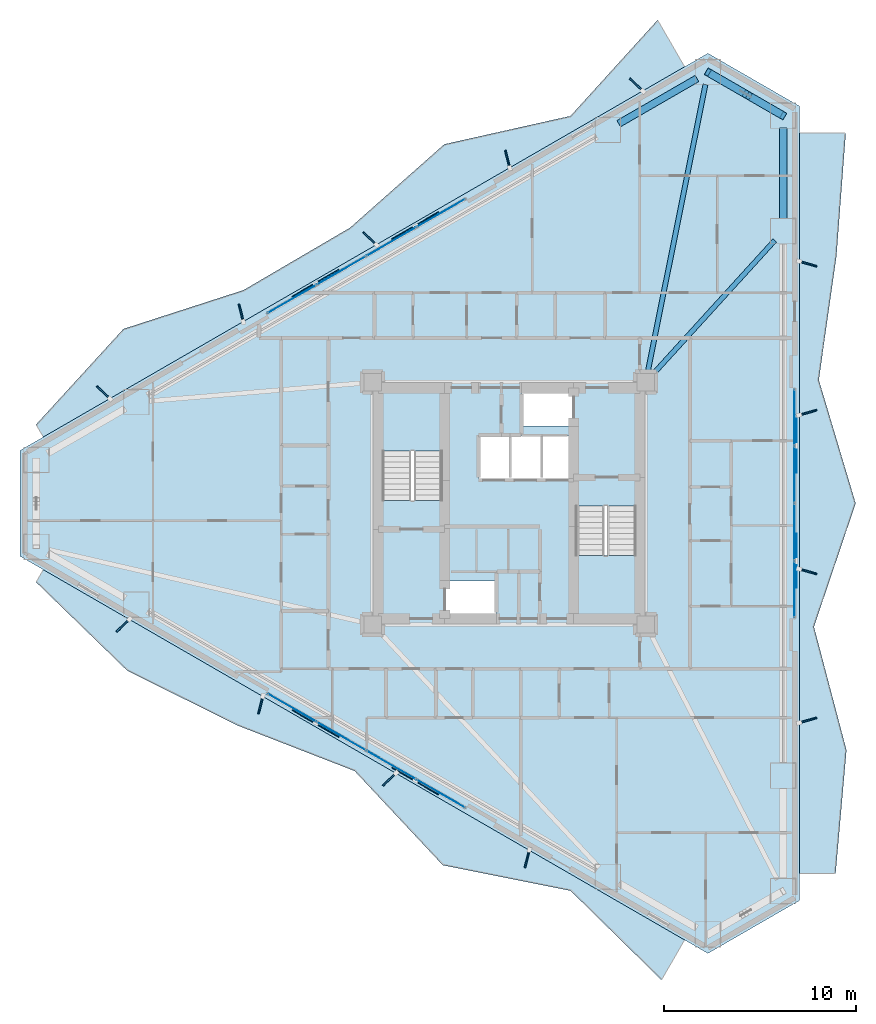
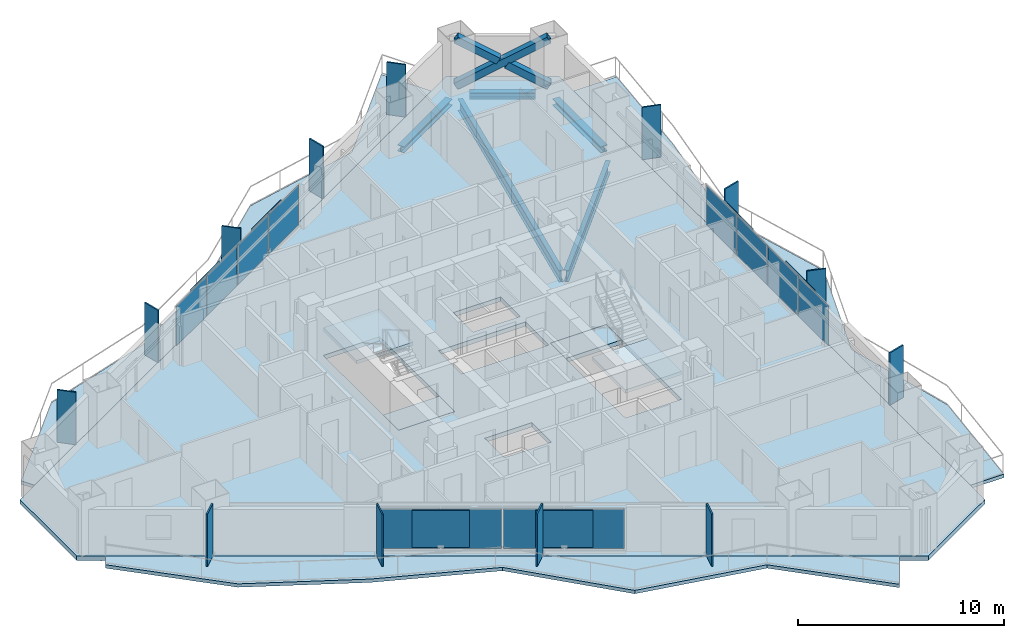
# One storey, part 10 of 19: 31 plates, 8 slabs, 5 beams, 3 members, 5 elements without a shape of their own.
"""IFC4 building model written with IfcOpenShell, lengths in metres."""

from ifc_helpers import new_model, si_unit, direction, frame, origin, origin_2d, place, context, subcontext, project, spatial, polyline, rectangle, hollow_rectangle, i_section, outline, extrude, material, layer, layer_set, material_profile, profile_set, type_object, element, aggregate, save


model = new_model("IFC4")

# Units and contexts
model_context = context("Model", 3, precision=1e-05, world=origin(), true_north=direction((0.0, 1.0)))
body_context = subcontext(model_context, "Body", "Model", "MODEL_VIEW")
ifc_project = project(units=[si_unit("LENGTHUNIT", "METRE"), si_unit("AREAUNIT", "SQUARE_METRE"), si_unit("VOLUMEUNIT", "CUBIC_METRE"), si_unit("PLANEANGLEUNIT", "RADIAN"), si_unit("MASSUNIT", "GRAM", prefix="KILO")], contexts=[model_context])

# Site, building, storey
site_placement = place(None, origin())
site = spatial("IfcSite", under=ifc_project, at=site_placement, CompositionType="ELEMENT")
building_placement = place(site_placement, origin())
building = spatial("IfcBuilding", under=site, at=building_placement, Name="Mersakhor Tower and Convention Hall", CompositionType="ELEMENT")
storey_placement = place(building_placement, frame((0.0, 0.0, 25.800048828125)))
storey = spatial("IfcBuildingStorey", under=building, at=storey_placement, Name="L06", CompositionType="ELEMENT", Elevation=25.800048828125)

# Beams
ifc_material_1 = material(Name="Steel S355", Category="steel")
ifc_material_profile_1 = material_profile(ifc_material_1, i_section(OverallWidth=0.25439453125, OverallDepth=0.6875, WebThickness=0.01318359375, FlangeThickness=0.02099609375, at=origin_2d()), Name="UB 686x254x152")
ifc_profile_set_1 = profile_set([ifc_material_profile_1], Name="Steel S355")
beam_type_1 = type_object("IfcBeamType", Name="BM-PR-686", PredefinedType="BEAM", material=ifc_profile_set_1)
beam_1_placement = place(storey_placement, frame((36.1845703125, 33.4716796875, -0.603759765625), z_axis=(0.196849718138, 0.980433673672, 0.0), x_axis=(-0.980433673672, 0.196849718138, 0.0)))
element("IfcBeam", 1, at=beam_1_placement, inside=storey, type_object=beam_type_1, Name="L06 Primary Floor Girder FG-2", PredefinedType="BEAM", context=body_context, shape_type="SweptSolid", body=[
    extrude(i_section(OverallWidth=0.25439453125, OverallDepth=0.6875, WebThickness=0.01318359375, FlangeThickness=0.02099609375, at=origin_2d()), origin(), (0.0, 0.0, 1.0), 15.359130859375),
])
beam_2_placement = place(storey_placement, frame((36.389404296875, 33.367919921875, -0.603759765625), z_axis=(0.67316322447, 0.739493930483, 0.0), x_axis=(-0.739493930483, 0.67316322447, 0.0)))
element("IfcBeam", 2, at=beam_2_placement, inside=storey, type_object=beam_type_1, Name="L06 Primary Floor Girder FG-3", PredefinedType="BEAM", context=body_context, shape_type="SweptSolid", body=[
    extrude(i_section(OverallWidth=0.25439453125, OverallDepth=0.6875, WebThickness=0.01318359375, FlangeThickness=0.02099609375, at=origin_2d()), origin(), (0.0, 0.0, 1.0), 9.53662109375),
])
ifc_material_2 = material(Name="Steel S355", Category="steel")
ifc_material_profile_2 = material_profile(ifc_material_2, i_section(OverallWidth=0.374755859375, OverallDepth=0.37451171875, WebThickness=0.0166015625, FlangeThickness=0.027099609375, at=origin_2d()), Name="UC 356x368x202")
ifc_profile_set_2 = profile_set([ifc_material_profile_2], Name="Steel S355")
beam_type_2 = type_object("IfcBeamType", Name="BM-SPD-UC356", PredefinedType="SPANDREL", material=ifc_profile_set_2)
beam_3_placement = place(storey_placement, frame((34.700439453125, 46.49560546875, -0.447265625), z_axis=(0.866031574723, 0.499989311469, 0.0), x_axis=(-0.499989311469, 0.866031574723, 0.0)))
element("IfcBeam", 3, at=beam_3_placement, inside=storey, type_object=beam_type_2, Name="L06 Perimeter Spandrel Beam SPB-03", PredefinedType="SPANDREL", context=body_context, shape_type="SweptSolid", body=[
    extrude(i_section(OverallWidth=0.374755859375, OverallDepth=0.37451171875, WebThickness=0.0166015625, FlangeThickness=0.027099609375, at=origin_2d()), origin(), (0.0, 0.0, 1.0), 4.69873046875),
])
beam_4_placement = place(storey_placement, frame((39.904052734375, 48.844970703125, -0.447265625), z_axis=(0.866038607556, -0.4999771297, 0.0), x_axis=(0.4999771297, 0.866038607556, 0.0)))
element("IfcBeam", 4, at=beam_4_placement, inside=storey, type_object=beam_type_2, Name="L06 Perimeter Spandrel Beam SPB-04", PredefinedType="SPANDREL", context=body_context, shape_type="SweptSolid", body=[
    extrude(i_section(OverallWidth=0.374755859375, OverallDepth=0.37451171875, WebThickness=0.0166015625, FlangeThickness=0.027099609375, at=origin_2d()), origin(), (0.0, 0.0, 1.0), 3.208740234375),
])
beam_5_placement = place(storey_placement, frame((43.25, 46.25830078125, -0.447265625), z_axis=(0.0, -1.0, 0.0), x_axis=(1.0, 0.0, 0.0)))
element("IfcBeam", 5, at=beam_5_placement, inside=storey, type_object=beam_type_2, Name="L06 Perimeter Spandrel Beam SPB-05", PredefinedType="SPANDREL", context=body_context, shape_type="SweptSolid", body=[
    extrude(i_section(OverallWidth=0.374755859375, OverallDepth=0.37451171875, WebThickness=0.0166015625, FlangeThickness=0.027099609375, at=origin_2d()), origin(), (0.0, 0.0, 1.0), 4.69873046875),
])

# Members
ifc_material_3 = material(Name="Steel S460", Category="steel")
ifc_material_profile_3 = material_profile(ifc_material_3, hollow_rectangle(XDim=0.39990234375, YDim=0.39990234375, WallThickness=0.02490234375, at=origin_2d()), Name="SHS 400x400x25")
ifc_profile_set_3 = profile_set([ifc_material_profile_3], Name="Steel S460")
member_type = type_object("IfcMemberType", Name="MB-BRC-SHS400", PredefinedType="BRACE", material=ifc_profile_set_3)
member_placement = place(storey_placement, frame((39.3369140625, 49.172607421875, 0.14990234375), z_axis=(0.740507772322, -0.427542982597, 0.518512523632), x_axis=(0.500009315796, 0.86602002524, 0.0)))
element("IfcMember", 6, at=member_placement, inside=storey, type_object=member_type, Name="L06 Chamfer Braced Frame Diagonal CB-1A", PredefinedType="BRACE", context=body_context, shape_type="SweptSolid", body=[
    extrude(hollow_rectangle(XDim=0.39990234375, YDim=0.39990234375, WallThickness=0.02490234375, at=origin_2d()), origin(), (0.0, 0.0, 1.0), 5.284423828125),
])
for number, where, z_axis, x_axis, name in (
    (7, (43.25, 46.913330078125, 0.14990234375), (-0.740505282886, 0.427518653602, 0.518536138413), (-0.499989236795, -0.866031617834, 0.0), "L06 Chamfer Braced Frame Diagonal CB-1B Lower Half"),
    (8, (41.12060546875, 48.142578125, 1.64111328125), (-0.740512106644, 0.427623949895, 0.518439560017), (-0.500078132948, -0.865980289006, 0.0), "L06 Chamfer Braced Frame Diagonal CB-1B Upper Half"),
):
    element("IfcMember", number, at=place(storey_placement, frame(where, z_axis=z_axis, x_axis=x_axis)), inside=storey, type_object=member_type, Name=name, PredefinedType="BRACE", context=body_context, shape_type="SweptSolid", body=[
        extrude(hollow_rectangle(XDim=0.39990234375, YDim=0.39990234375, WallThickness=0.02490234375, at=origin_2d()), origin(), (0.0, 0.0, 1.0), 2.40869140625),
    ])

# Curtain wall, plates
ifc_material_4 = material(Name="Dark solar low-E aluminium curtain wall", Category="aluminium")
ifc_layer_1 = layer(ifc_material_4, 0.159912109375)
ifc_layer_set_1 = layer_set([ifc_layer_1], Name="Dark solar low-E aluminium curtain wall")
curtain_wall_type = type_object("IfcCurtainWallType", Name="CW-SYS-01", PredefinedType="USERDEFINED", material=ifc_layer_set_1)
curtain_wall_1_placement = place(storey_placement, origin())
curtain_wall_1 = element("IfcCurtainWall", 9, at=curtain_wall_1_placement, inside=storey, type_object=curtain_wall_type, Name="L06 Dark-Glass Curtain Wall F1-B2", ObjectType="CURTAIN WALL", PredefinedType="USERDEFINED")
ifc_material_5 = material(Name="Dark solar double glazing", Category="glass")
ifc_layer_2 = layer(ifc_material_5, 0.02392578125)
ifc_layer_set_2 = layer_set([ifc_layer_2], Name="Dark solar double glazing")
plate_type_1 = type_object("IfcPlateType", Name="CWP-GLZ-24", PredefinedType="CURTAIN_PANEL", material=ifc_layer_set_2)
plate_1_placement = place(storey_placement, frame((17.702880859375, 37.375, 0.259765625), z_axis=(0.0, 0.0, 1.0), x_axis=(0.866023412558, 0.50000344889, 0.0)))
plate_1 = element("IfcPlate", 10, at=plate_1_placement, type_object=plate_type_1, Name="CW-01 panel 1.1", PredefinedType="CURTAIN_PANEL", context=body_context, shape_type="SweptSolid", body=[
    extrude(rectangle(XDim=2.880859375, YDim=0.02392578125, at=origin_2d()), origin(), (0.0, 0.0, 1.0), 2.340087890625),
])
plate_2_placement = place(storey_placement, frame((20.27880859375, 38.862060546875, 0.259765625), z_axis=(0.0, 0.0, 1.0), x_axis=(0.866023412558, 0.50000344889, 0.0)))
plate_2 = element("IfcPlate", 11, at=plate_2_placement, type_object=plate_type_1, Name="CW-01 panel 2.1", PredefinedType="CURTAIN_PANEL", context=body_context, shape_type="SweptSolid", body=[
    extrude(rectangle(XDim=2.918212890625, YDim=0.02392578125, at=origin_2d()), origin(), (0.0, 0.0, 1.0), 2.340087890625),
])
plate_3_placement = place(storey_placement, frame((22.87109375, 40.35888671875, 0.259765625), z_axis=(0.0, 0.0, 1.0), x_axis=(0.866023412558, 0.50000344889, 0.0)))
plate_3 = element("IfcPlate", 12, at=plate_3_placement, type_object=plate_type_1, Name="CW-01 panel 3.1", PredefinedType="CURTAIN_PANEL", context=body_context, shape_type="SweptSolid", body=[
    extrude(rectangle(XDim=2.918212890625, YDim=0.02392578125, at=origin_2d()), origin(), (0.0, 0.0, 1.0), 2.340087890625),
])
plate_4_placement = place(storey_placement, frame((25.447021484375, 41.84619140625, 0.259765625), z_axis=(0.0, 0.0, 1.0), x_axis=(0.866023412558, 0.50000344889, 0.0)))
plate_4 = element("IfcPlate", 13, at=plate_4_placement, type_object=plate_type_1, Name="CW-01 panel 4.1", PredefinedType="CURTAIN_PANEL", context=body_context, shape_type="SweptSolid", body=[
    extrude(rectangle(XDim=2.880859375, YDim=0.02392578125, at=origin_2d()), origin(), (0.0, 0.0, 1.0), 2.340087890625),
])
aggregate(curtain_wall_1, [plate_1, plate_2, plate_3, plate_4])

curtain_wall_2_placement = place(storey_placement, origin())
curtain_wall_2 = element("IfcCurtainWall", 14, at=curtain_wall_2_placement, inside=storey, type_object=curtain_wall_type, Name="L06 Dark-Glass Curtain Wall F2-B2", ObjectType="CURTAIN WALL", PredefinedType="USERDEFINED")
plate_5_placement = place(storey_placement, frame((43.85009765625, 31.22119140625, 0.259765625), z_axis=(0.0, 0.0, 1.0), x_axis=(0.0, -1.0, 0.0)))
plate_5 = element("IfcPlate", 15, at=plate_5_placement, type_object=plate_type_1, Name="CW-01 panel 1.1", PredefinedType="CURTAIN_PANEL", context=body_context, shape_type="SweptSolid", body=[
    extrude(rectangle(XDim=2.880859375, YDim=0.02392578125, at=origin_2d()), origin(), (0.0, 0.0, 1.0), 2.340087890625),
])
plate_6_placement = place(storey_placement, frame((43.85009765625, 28.24658203125, 0.259765625), z_axis=(0.0, 0.0, 1.0), x_axis=(0.0, -1.0, 0.0)))
plate_6 = element("IfcPlate", 16, at=plate_6_placement, type_object=plate_type_1, Name="CW-01 panel 2.1", PredefinedType="CURTAIN_PANEL", context=body_context, shape_type="SweptSolid", body=[
    extrude(rectangle(XDim=2.918212890625, YDim=0.02392578125, at=origin_2d()), origin(), (0.0, 0.0, 1.0), 2.340087890625),
])
plate_7_placement = place(storey_placement, frame((43.85009765625, 25.25341796875, 0.259765625), z_axis=(0.0, 0.0, 1.0), x_axis=(0.0, -1.0, 0.0)))
plate_7 = element("IfcPlate", 17, at=plate_7_placement, type_object=plate_type_1, Name="CW-01 panel 3.1", PredefinedType="CURTAIN_PANEL", context=body_context, shape_type="SweptSolid", body=[
    extrude(rectangle(XDim=2.918212890625, YDim=0.02392578125, at=origin_2d()), origin(), (0.0, 0.0, 1.0), 2.340087890625),
])
plate_8_placement = place(storey_placement, frame((43.85009765625, 22.27880859375, 0.259765625), z_axis=(0.0, 0.0, 1.0), x_axis=(0.0, -1.0, 0.0)))
plate_8 = element("IfcPlate", 18, at=plate_8_placement, type_object=plate_type_1, Name="CW-01 panel 4.1", PredefinedType="CURTAIN_PANEL", context=body_context, shape_type="SweptSolid", body=[
    extrude(rectangle(XDim=2.880859375, YDim=0.02392578125, at=origin_2d()), origin(), (0.0, 0.0, 1.0), 2.340087890625),
])
aggregate(curtain_wall_2, [plate_5, plate_6, plate_7, plate_8])

curtain_wall_3_placement = place(storey_placement, origin())
curtain_wall_3 = element("IfcCurtainWall", 19, at=curtain_wall_3_placement, inside=storey, type_object=curtain_wall_type, Name="L06 Dark-Glass Curtain Wall F3-B2", ObjectType="CURTAIN WALL", PredefinedType="USERDEFINED")
plate_9_placement = place(storey_placement, frame((25.447021484375, 11.65380859375, 0.259765625), z_axis=(0.0, 0.0, 1.0), x_axis=(-0.866023412558, 0.50000344889, 0.0)))
plate_9 = element("IfcPlate", 20, at=plate_9_placement, type_object=plate_type_1, Name="CW-01 panel 1.1", PredefinedType="CURTAIN_PANEL", context=body_context, shape_type="SweptSolid", body=[
    extrude(rectangle(XDim=2.880859375, YDim=0.02392578125, at=origin_2d()), origin(), (0.0, 0.0, 1.0), 2.340087890625),
])
plate_10_placement = place(storey_placement, frame((22.87109375, 13.14111328125, 0.259765625), z_axis=(0.0, 0.0, 1.0), x_axis=(-0.866023412558, 0.50000344889, 0.0)))
plate_10 = element("IfcPlate", 21, at=plate_10_placement, type_object=plate_type_1, Name="CW-01 panel 2.1", PredefinedType="CURTAIN_PANEL", context=body_context, shape_type="SweptSolid", body=[
    extrude(rectangle(XDim=2.918212890625, YDim=0.02392578125, at=origin_2d()), origin(), (0.0, 0.0, 1.0), 2.340087890625),
])
plate_11_placement = place(storey_placement, frame((20.27880859375, 14.637939453125, 0.259765625), z_axis=(0.0, 0.0, 1.0), x_axis=(-0.866023412558, 0.50000344889, 0.0)))
plate_11 = element("IfcPlate", 22, at=plate_11_placement, type_object=plate_type_1, Name="CW-01 panel 3.1", PredefinedType="CURTAIN_PANEL", context=body_context, shape_type="SweptSolid", body=[
    extrude(rectangle(XDim=2.918212890625, YDim=0.02392578125, at=origin_2d()), origin(), (0.0, 0.0, 1.0), 2.340087890625),
])
plate_12_placement = place(storey_placement, frame((17.702880859375, 16.125, 0.259765625), z_axis=(0.0, 0.0, 1.0), x_axis=(-0.866023412558, 0.50000344889, 0.0)))
plate_12 = element("IfcPlate", 23, at=plate_12_placement, type_object=plate_type_1, Name="CW-01 panel 4.1", PredefinedType="CURTAIN_PANEL", context=body_context, shape_type="SweptSolid", body=[
    extrude(rectangle(XDim=2.880859375, YDim=0.02392578125, at=origin_2d()), origin(), (0.0, 0.0, 1.0), 2.340087890625),
])
aggregate(curtain_wall_3, [plate_9, plate_10, plate_11, plate_12])

# Plates
ifc_material_6 = material(Name="Ceramic-clad aluminium Zone 1 cobalt-slate", Category="masonry")
ifc_material_7 = material(Name="Ceramic-clad aluminium Zone 1 cobalt-slate", Category="masonry")
ifc_layer_3 = layer(ifc_material_7, 0.080078125)
ifc_layer_set_3 = layer_set([ifc_layer_3], Name="Ceramic-clad aluminium Zone 1 cobalt-slate")
plate_type_2 = type_object("IfcPlateType", Name="PL-FIN-80", PredefinedType="USERDEFINED", material=ifc_layer_set_3)
for number, where, z_axis, x_axis, name in (
    (24, (7.907958984375, 32.5126953125, 0.0), (0.0, 0.0, 1.0), (-0.719339800339, 0.694658370459, 0.0), "L06 Zone 1 Coloured Brise-Soleil Fin F1-1"),
    (25, (15.06298828125, 36.6435546875, 0.0), (0.0, 0.0, 1.0), (-0.2419218956, 0.970295726276, 0.0), "L06 Zone 1 Coloured Brise-Soleil Fin F1-2"),
    (26, (21.764404296875, 40.5126953125, 0.0), (0.0, 0.0, 1.0), (-0.719339800339, 0.694658370459, 0.0), "L06 Zone 1 Coloured Brise-Soleil Fin F1-3"),
    (27, (28.919189453125, 44.6435546875, 0.0), (0.0, 0.0, 1.0), (-0.2419218956, 0.970295726276, 0.0), "L06 Zone 1 Coloured Brise-Soleil Fin F1-4"),
    (28, (35.620849609375, 48.5126953125, 0.0), (0.0, 0.0, 1.0), (-0.719339800339, 0.694658370459, 0.0), "L06 Zone 1 Coloured Brise-Soleil Fin F1-5"),
    (29, (44.53662109375, 39.206298828125, 0.0), (0.0, 0.0, 1.0), (0.961261695938, -0.275637355817, 0.0), "L06 Zone 1 Coloured Brise-Soleil Fin F2-1"),
    (30, (44.53662109375, 31.46826171875, 0.0), (0.0, 0.0, 1.0), (0.961261695938, 0.275637355817, 0.0), "L06 Zone 1 Coloured Brise-Soleil Fin F2-2"),
    (31, (44.53662109375, 23.206298828125, 0.0), (0.0, 0.0, 1.0), (0.961261695938, -0.275637355817, 0.0), "L06 Zone 1 Coloured Brise-Soleil Fin F2-3"),
    (32, (44.53662109375, 15.46826171875, 0.0), (0.0, 0.0, 1.0), (0.961261695938, 0.275637355817, 0.0), "L06 Zone 1 Coloured Brise-Soleil Fin F2-4"),
    (33, (29.9365234375, 8.26904296875, 0.0), (0.0, 0.0, 1.0), (-0.2419218956, -0.970295726276, 0.0), "L06 Zone 1 Coloured Brise-Soleil Fin F3-1"),
    (34, (22.78173828125, 12.39990234375, 0.0), (0.0, 0.0, 1.0), (-0.719339800339, -0.694658370459, 0.0), "L06 Zone 1 Coloured Brise-Soleil Fin F3-2"),
    (35, (16.080078125, 16.26904296875, 0.0), (0.0, 0.0, 1.0), (-0.2419218956, -0.970295726276, 0.0), "L06 Zone 1 Coloured Brise-Soleil Fin F3-3"),
    (36, (8.92529296875, 20.39990234375, 0.0), (0.0, 0.0, 1.0), (-0.719339800339, -0.694658370459, 0.0), "L06 Zone 1 Coloured Brise-Soleil Fin F3-4"),
):
    element("IfcPlate", number, at=place(storey_placement, frame(where, z_axis=z_axis, x_axis=x_axis)), inside=storey, type_object=plate_type_2, material=ifc_material_6, Name=name, ObjectType="FIN", PredefinedType="USERDEFINED", context=body_context, shape_type="SweptSolid", body=[
        extrude(rectangle(XDim=0.949951171875, YDim=0.080078125, at=origin_2d()), origin(), (0.0, 0.0, 1.0), 3.10009765625),
    ])
ifc_material_8 = material(Name="Perforated ceramic cobogo solar screen", Category="aluminium")
ifc_layer_4 = layer(ifc_material_8, 0.048095703125)
ifc_layer_set_4 = layer_set([ifc_layer_4], Name="Perforated ceramic cobogo solar screen")
plate_type_3 = type_object("IfcPlateType", Name="PL-SCR-48", PredefinedType="USERDEFINED", material=ifc_layer_set_4)
for number, where, z_axis, x_axis, name in (
    (37, (18.935791015625, 38.1953125, 0.39990234375), (0.0, 0.0, 1.0), (0.866025403784, 0.5, 0.0), "L06 Perforated Ceramic Solar Screen F1-1"),
    (38, (24.120361328125, 41.1884765625, 0.39990234375), (0.0, 0.0, 1.0), (0.866025403784, 0.5, 0.0), "L06 Perforated Ceramic Solar Screen F1-2"),
    (39, (43.944091796875, 29.743408203125, 0.39990234375), (0.0, 0.0, 1.0), (0.0, -1.0, 0.0), "L06 Perforated Ceramic Solar Screen F2-1"),
    (40, (43.944091796875, 23.756591796875, 0.39990234375), (0.0, 0.0, 1.0), (0.0, -1.0, 0.0), "L06 Perforated Ceramic Solar Screen F2-2"),
    (41, (24.1201171875, 12.311279296875, 0.39990234375), (0.0, 0.0, 1.0), (-0.866025403784, 0.5, 0.0), "L06 Perforated Ceramic Solar Screen F3-1"),
    (42, (18.935791015625, 15.3046875, 0.39990234375), (0.0, 0.0, 1.0), (-0.866025403784, 0.5, 0.0), "L06 Perforated Ceramic Solar Screen F3-2"),
):
    element("IfcPlate", number, at=place(storey_placement, frame(where, z_axis=z_axis, x_axis=x_axis)), inside=storey, type_object=plate_type_3, Name=name, ObjectType="SCREEN", PredefinedType="USERDEFINED", context=body_context, shape_type="SweptSolid", body=[
        extrude(rectangle(XDim=2.800048828125, YDim=0.048095703125, at=origin_2d()), origin(), (0.0, 0.0, 1.0), 2.2099609375),
    ])

# Slabs
ifc_material_9 = material(Name="Concrete C45/55", Category="concrete")
ifc_layer_5 = layer(ifc_material_9, 0.199951171875)
ifc_layer_set_5 = layer_set([ifc_layer_5], Name="Concrete C45/55")
slab_type_1 = type_object("IfcSlabType", Name="SL-BAL-200", PredefinedType="FLOOR", material=ifc_layer_set_5)
slab_1_placement = place(storey_placement, frame((0.0, 0.0, -0.199951171875)))
element("IfcSlab", 43, at=slab_1_placement, inside=storey, type_object=slab_type_1, Name="L06 Sinusoidal Balcony Slab Face 1", PredefinedType="FLOOR", context=body_context, shape_type="SweptSolid", body=[
    extrude(outline(polyline([(4.775390625, 30.199951171875), (38.12451171875, 49.4541015625), (36.720458984375, 51.885986328125), (32.19140625, 46.89453125), (25.62890625, 45.4248046875), (20.724609375, 41.083251953125), (15.18701171875, 37.839111328125), (8.941650390625, 35.81982421875), (4.400390625, 30.849609375), (4.775390625, 30.199951171875)])), origin(), (0.0, 0.0, 1.0), 0.199951171875),
])
slab_2_placement = place(storey_placement, frame((0.0, 0.0, -0.199951171875)))
element("IfcSlab", 44, at=slab_2_placement, inside=storey, type_object=slab_type_1, Name="L06 Sinusoidal Balcony Slab Face 2", PredefinedType="FLOOR", context=body_context, shape_type="SweptSolid", body=[
    extrude(outline(polyline([(44.10009765625, 46.00390625), (44.10009765625, 7.49609375), (45.975341796875, 7.49609375), (46.54150390625, 13.9140625), (44.85009765625, 20.33203125), (47.02001953125, 26.75), (45.10302734375, 33.16796875), (46.01806640625, 39.5859375), (46.5048828125, 46.00390625), (44.10009765625, 46.00390625)])), origin(), (0.0, 0.0, 1.0), 0.199951171875),
])
slab_3_placement = place(storey_placement, frame((0.0, 0.0, -0.199951171875)))
element("IfcSlab", 45, at=slab_3_placement, inside=storey, type_object=slab_type_1, Name="L06 Sinusoidal Balcony Slab Face 3", PredefinedType="FLOOR", context=body_context, shape_type="SweptSolid", body=[
    extrude(outline(polyline([(38.12451171875, 4.0458984375), (4.775390625, 23.300048828125), (4.400390625, 22.650390625), (9.14990234375, 18.04052734375), (14.91162109375, 15.18408203125), (20.96435546875, 12.831787109375), (25.548095703125, 7.935302734375), (32.19140625, 6.60546875), (36.922119140625, 1.963134765625), (38.12451171875, 4.0458984375)])), origin(), (0.0, 0.0, 1.0), 0.199951171875),
])
ifc_material_10 = material(Name="Concrete C45/55", Category="concrete")
ifc_layer_6 = layer(ifc_material_10, 0.260009765625)
ifc_layer_set_6 = layer_set([ifc_layer_6], Name="Concrete C45/55")
slab_type_2 = type_object("IfcSlabType", Name="SL-FLR-260", PredefinedType="FLOOR", material=ifc_layer_set_6)
slab_4_placement = place(storey_placement, frame((0.0, 0.0, -0.260009765625)))
element("IfcSlab", 46, at=slab_4_placement, inside=storey, type_object=slab_type_2, Name="L06 ST-1 Structural Stair Floor Landing", PredefinedType="LANDING", context=body_context, shape_type="SweptSolid", body=[
    extrude(outline(polyline([(25.550048828125, 25.39990234375), (25.550048828125, 26.89990234375), (22.39990234375, 26.89990234375), (22.39990234375, 25.39990234375), (25.550048828125, 25.39990234375)])), origin(), (0.0, 0.0, 1.0), 0.260009765625),
])
slab_5_placement = place(storey_placement, frame((0.0, 0.0, -0.260009765625)))
element("IfcSlab", 47, at=slab_5_placement, inside=storey, type_object=slab_type_2, Name="L06 ST-2 Structural Stair Floor Landing", PredefinedType="LANDING", context=body_context, shape_type="SweptSolid", body=[
    extrude(outline(polyline([(32.449951171875, 28.10009765625), (32.449951171875, 26.60009765625), (35.60009765625, 26.60009765625), (35.60009765625, 28.10009765625), (32.449951171875, 28.10009765625)])), origin(), (0.0, 0.0, 1.0), 0.260009765625),
])
slab_6_placement = place(storey_placement, frame((0.0, 0.0, -0.260009765625)))
element("IfcSlab", 48, at=slab_6_placement, inside=storey, type_object=slab_type_2, Name="Tower L06 Structural Floor Slab", PredefinedType="FLOOR", context=body_context, shape_type="SweptSolid", body=[
    extrude(outline(polyline([(3.56298828125, 29.5), (39.3369140625, 50.154052734375), (44.10009765625, 47.404052734375), (44.10009765625, 6.095947265625), (39.3369140625, 3.345947265625), (3.56298828125, 24.0), (3.56298828125, 29.5)]), holes=[polyline([(25.550048828125, 25.39990234375), (25.550048828125, 32.699951171875), (22.39990234375, 32.699951171875), (22.39990234375, 25.39990234375), (25.550048828125, 25.39990234375)]), polyline([(32.449951171875, 28.10009765625), (32.449951171875, 20.800048828125), (35.60009765625, 20.800048828125), (35.60009765625, 28.10009765625), (32.449951171875, 28.10009765625)]), polyline([(25.679931640625, 20.820068359375), (25.679931640625, 22.719970703125), (28.320068359375, 22.719970703125), (28.320068359375, 20.820068359375), (25.679931640625, 20.820068359375)]), polyline([(29.679931640625, 30.780029296875), (29.679931640625, 32.679931640625), (32.320068359375, 32.679931640625), (32.320068359375, 30.780029296875), (29.679931640625, 30.780029296875)]), polyline([(27.429931640625, 28.0), (27.429931640625, 30.25), (32.320068359375, 30.25), (32.320068359375, 28.0), (27.429931640625, 28.0)])]), origin(), (0.0, 0.0, 1.0), 0.260009765625),
])

# Stair, slab
ifc_material_11 = material(Name="Concrete C45/55", Category="concrete")
stair_type = type_object("IfcStairType", Name="ST-TWR-20R", PredefinedType="HALF_TURN_STAIR", material=ifc_material_11)
stair_1_placement = place(storey_placement, origin())
stair_1 = element("IfcStair", 49, at=stair_1_placement, inside=storey, type_object=stair_type, Name="L06 Tower Protected Exit Stair ST-1", PredefinedType="HALF_TURN_STAIR")
ifc_material_12 = material(Name="Concrete C45/55", Category="concrete")
ifc_layer_7 = layer(ifc_material_12, 0.199951171875)
ifc_layer_set_7 = layer_set([ifc_layer_7], Name="Concrete C45/55")
slab_type_3 = type_object("IfcSlabType", Name="SL-LAND-200", PredefinedType="LANDING", material=ifc_layer_set_7)
slab_7_placement = place(storey_placement, frame((0.0, 0.0, 1.449951171875)))
slab_7 = element("IfcSlab", 50, at=slab_7_placement, type_object=slab_type_3, Name="ST-1 landing 1", PredefinedType="LANDING", context=body_context, shape_type="SweptSolid", body=[
    extrude(outline(polyline([(25.550048828125, 29.465087890625), (25.550048828125, 32.699951171875), (22.39990234375, 32.699951171875), (22.39990234375, 29.465087890625), (25.550048828125, 29.465087890625)])), origin(), (0.0, 0.0, 1.0), 0.199951171875),
])
aggregate(stair_1, [slab_7])

stair_2_placement = place(storey_placement, origin())
stair_2 = element("IfcStair", 51, at=stair_2_placement, inside=storey, type_object=stair_type, Name="L06 Tower Protected Exit Stair ST-2", PredefinedType="HALF_TURN_STAIR")
slab_8_placement = place(storey_placement, frame((0.0, 0.0, 1.449951171875)))
slab_8 = element("IfcSlab", 52, at=slab_8_placement, type_object=slab_type_3, Name="ST-2 landing 1", PredefinedType="LANDING", context=body_context, shape_type="SweptSolid", body=[
    extrude(outline(polyline([(32.449951171875, 24.034912109375), (32.449951171875, 20.800048828125), (35.60009765625, 20.800048828125), (35.60009765625, 24.034912109375), (32.449951171875, 24.034912109375)])), origin(), (0.0, 0.0, 1.0), 0.199951171875),
])
aggregate(stair_2, [slab_8])

save(model, "model.ifc")
